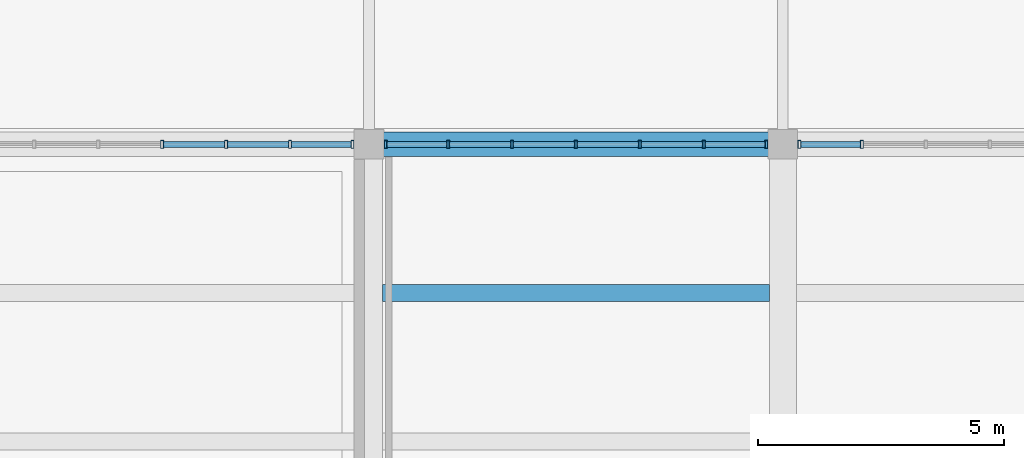
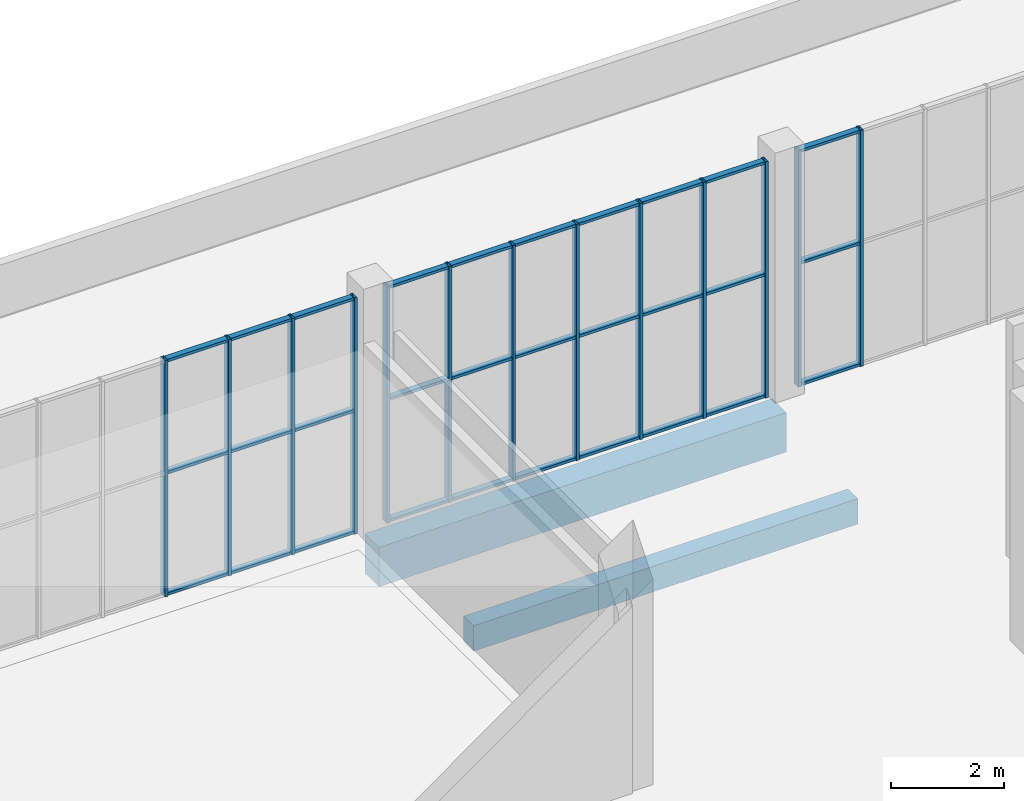
# One storey, part 90 of 132: 43 members, 2 beams, 3 elements without a shape of their own.
"""IFC4 building model written with IfcOpenShell, lengths in metres."""

from ifc_helpers import new_model, si_unit, direction, frame, origin, origin_2d, place, context, subcontext, project, spatial, rectangle, hollow_rectangle, extrude, material, material_profile, profile_set, type_object, element, aggregate, save


model = new_model("IFC4")

# Units and contexts
model_context = context("Model", 3, precision=1e-05, world=origin(), true_north=direction((0.0, 1.0)))
body_context = subcontext(model_context, "Body", "Model", "MODEL_VIEW")
ifc_project = project(units=[si_unit("LENGTHUNIT", "METRE"), si_unit("AREAUNIT", "SQUARE_METRE"), si_unit("VOLUMEUNIT", "CUBIC_METRE"), si_unit("PLANEANGLEUNIT", "RADIAN"), si_unit("MASSUNIT", "GRAM", prefix="KILO")], contexts=[model_context])

# Site, building, storey
site_placement = place(None, origin())
site = spatial("IfcSite", under=ifc_project, at=site_placement, CompositionType="ELEMENT")
building_placement = place(site_placement, origin())
building = spatial("IfcBuilding", under=site, at=building_placement, Name="Khurvash Pelagic Aquarium", CompositionType="ELEMENT")
storey_placement = place(building_placement, frame((0.0, 0.0, 5.39990234375)))
storey = spatial("IfcBuildingStorey", under=building, at=storey_placement, Name="L01", CompositionType="ELEMENT", Elevation=5.39990234375)

# Curtain wall, members
ifc_material_1 = material(Name="Anodised aluminium and low-E laminated glass", Category="aluminium")
curtain_wall_type = type_object("IfcCurtainWallType", Name="CW-05", PredefinedType="USERDEFINED", material=ifc_material_1)
curtain_wall_1_placement = place(storey_placement, origin())
curtain_wall_1 = element("IfcCurtainWall", 1, at=curtain_wall_1_placement, inside=storey, type_object=curtain_wall_type, Name="L01 Facade Unitised Curtain Wall CW-05 0114", ObjectType="UNITISED CURTAIN WALL", PredefinedType="USERDEFINED")
ifc_material_2 = material(Name="Extruded aluminium AW-6063-T6", Category="aluminium")
ifc_material_profile_1 = material_profile(ifc_material_2, hollow_rectangle(XDim=0.06005859375, YDim=0.159912109375, WallThickness=0.00390625, at=origin_2d()), Name="CWM60X160X4")
ifc_profile_set_1 = profile_set([ifc_material_profile_1], Name="Extruded aluminium AW-6063-T6")
member_type_1 = type_object("IfcMemberType", Name="CM-02", PredefinedType="MULLION", material=ifc_profile_set_1)
member_1_placement = place(storey_placement, frame((110.80322265625, 102.14990234375, 0.0), z_axis=(0.0, 0.0, 1.0), x_axis=(-1.0, 0.0, 0.0)))
member_1 = element("IfcMember", 2, at=member_1_placement, type_object=member_type_1, Name="CW-05 mullion 6", PredefinedType="MULLION", context=body_context, shape_type="SweptSolid", body=[
    extrude(hollow_rectangle(XDim=0.06005859375, YDim=0.159912109375, WallThickness=0.00390625, at=origin_2d()), origin(), (0.0, 0.0, 1.0), 5.10009765625),
])
member_2_placement = place(storey_placement, frame((109.534912109375, 102.14990234375, 0.0), z_axis=(0.0, 0.0, 1.0), x_axis=(-1.0, 0.0, 0.0)))
member_2 = element("IfcMember", 3, at=member_2_placement, type_object=member_type_1, Name="CW-05 mullion 7", PredefinedType="MULLION", context=body_context, shape_type="SweptSolid", body=[
    extrude(hollow_rectangle(XDim=0.06005859375, YDim=0.159912109375, WallThickness=0.00390625, at=origin_2d()), origin(), (0.0, 0.0, 1.0), 5.10009765625),
])

curtain_wall_2_placement = place(storey_placement, origin())
curtain_wall_2 = element("IfcCurtainWall", 4, at=curtain_wall_2_placement, inside=storey, type_object=curtain_wall_type, Name="L01 Facade Unitised Curtain Wall CW-05 0115", ObjectType="UNITISED CURTAIN WALL", PredefinedType="USERDEFINED")
member_3_placement = place(storey_placement, frame((108.864990234375, 102.14990234375, 0.0), z_axis=(0.0, 0.0, 1.0), x_axis=(-1.0, 0.0, 0.0)))
member_3 = element("IfcMember", 5, at=member_3_placement, type_object=member_type_1, Name="CW-05 mullion 1", PredefinedType="MULLION", context=body_context, shape_type="SweptSolid", body=[
    extrude(hollow_rectangle(XDim=0.06005859375, YDim=0.159912109375, WallThickness=0.00390625, at=origin_2d()), origin(), (0.0, 0.0, 1.0), 5.10009765625),
])
member_4_placement = place(storey_placement, frame((107.5966796875, 102.14990234375, 0.0), z_axis=(0.0, 0.0, 1.0), x_axis=(-1.0, 0.0, 0.0)))
member_4 = element("IfcMember", 6, at=member_4_placement, type_object=member_type_1, Name="CW-05 mullion 2", PredefinedType="MULLION", context=body_context, shape_type="SweptSolid", body=[
    extrude(hollow_rectangle(XDim=0.06005859375, YDim=0.159912109375, WallThickness=0.00390625, at=origin_2d()), origin(), (0.0, 0.0, 1.0), 5.10009765625),
])
member_5_placement = place(storey_placement, frame((106.29833984375, 102.14990234375, 0.0), z_axis=(0.0, 0.0, 1.0), x_axis=(-1.0, 0.0, 0.0)))
member_5 = element("IfcMember", 7, at=member_5_placement, type_object=member_type_1, Name="CW-05 mullion 3", PredefinedType="MULLION", context=body_context, shape_type="SweptSolid", body=[
    extrude(hollow_rectangle(XDim=0.06005859375, YDim=0.159912109375, WallThickness=0.00390625, at=origin_2d()), origin(), (0.0, 0.0, 1.0), 5.10009765625),
])
member_6_placement = place(storey_placement, frame((105.0, 102.14990234375, 0.0), z_axis=(0.0, 0.0, 1.0), x_axis=(-1.0, 0.0, 0.0)))
member_6 = element("IfcMember", 8, at=member_6_placement, type_object=member_type_1, Name="CW-05 mullion 4", PredefinedType="MULLION", context=body_context, shape_type="SweptSolid", body=[
    extrude(hollow_rectangle(XDim=0.06005859375, YDim=0.159912109375, WallThickness=0.00390625, at=origin_2d()), origin(), (0.0, 0.0, 1.0), 5.10009765625),
])
member_7_placement = place(storey_placement, frame((103.70166015625, 102.14990234375, 0.0), z_axis=(0.0, 0.0, 1.0), x_axis=(-1.0, 0.0, 0.0)))
member_7 = element("IfcMember", 9, at=member_7_placement, type_object=member_type_1, Name="CW-05 mullion 5", PredefinedType="MULLION", context=body_context, shape_type="SweptSolid", body=[
    extrude(hollow_rectangle(XDim=0.06005859375, YDim=0.159912109375, WallThickness=0.00390625, at=origin_2d()), origin(), (0.0, 0.0, 1.0), 5.10009765625),
])
member_8_placement = place(storey_placement, frame((102.4033203125, 102.14990234375, 0.0), z_axis=(0.0, 0.0, 1.0), x_axis=(-1.0, 0.0, 0.0)))
member_8 = element("IfcMember", 10, at=member_8_placement, type_object=member_type_1, Name="CW-05 mullion 6", PredefinedType="MULLION", context=body_context, shape_type="SweptSolid", body=[
    extrude(hollow_rectangle(XDim=0.06005859375, YDim=0.159912109375, WallThickness=0.00390625, at=origin_2d()), origin(), (0.0, 0.0, 1.0), 5.10009765625),
])
member_9_placement = place(storey_placement, frame((101.135009765625, 102.14990234375, 0.0), z_axis=(0.0, 0.0, 1.0), x_axis=(-1.0, 0.0, 0.0)))
member_9 = element("IfcMember", 11, at=member_9_placement, type_object=member_type_1, Name="CW-05 mullion 7", PredefinedType="MULLION", context=body_context, shape_type="SweptSolid", body=[
    extrude(hollow_rectangle(XDim=0.06005859375, YDim=0.159912109375, WallThickness=0.00390625, at=origin_2d()), origin(), (0.0, 0.0, 1.0), 5.10009765625),
])

curtain_wall_3_placement = place(storey_placement, origin())
curtain_wall_3 = element("IfcCurtainWall", 12, at=curtain_wall_3_placement, inside=storey, type_object=curtain_wall_type, Name="L01 Facade Unitised Curtain Wall CW-05 0116", ObjectType="UNITISED CURTAIN WALL", PredefinedType="USERDEFINED")
member_10_placement = place(storey_placement, frame((100.465087890625, 102.14990234375, 0.0), z_axis=(0.0, 0.0, 1.0), x_axis=(-1.0, 0.0, 0.0)))
member_10 = element("IfcMember", 13, at=member_10_placement, type_object=member_type_1, Name="CW-05 mullion 1", PredefinedType="MULLION", context=body_context, shape_type="SweptSolid", body=[
    extrude(hollow_rectangle(XDim=0.06005859375, YDim=0.159912109375, WallThickness=0.00390625, at=origin_2d()), origin(), (0.0, 0.0, 1.0), 5.10009765625),
])
member_11_placement = place(storey_placement, frame((99.19677734375, 102.14990234375, 0.0), z_axis=(0.0, 0.0, 1.0), x_axis=(-1.0, 0.0, 0.0)))
member_11 = element("IfcMember", 14, at=member_11_placement, type_object=member_type_1, Name="CW-05 mullion 2", PredefinedType="MULLION", context=body_context, shape_type="SweptSolid", body=[
    extrude(hollow_rectangle(XDim=0.06005859375, YDim=0.159912109375, WallThickness=0.00390625, at=origin_2d()), origin(), (0.0, 0.0, 1.0), 5.10009765625),
])
member_12_placement = place(storey_placement, frame((97.8984375, 102.14990234375, 0.0), z_axis=(0.0, 0.0, 1.0), x_axis=(-1.0, 0.0, 0.0)))
member_12 = element("IfcMember", 15, at=member_12_placement, type_object=member_type_1, Name="CW-05 mullion 3", PredefinedType="MULLION", context=body_context, shape_type="SweptSolid", body=[
    extrude(hollow_rectangle(XDim=0.06005859375, YDim=0.159912109375, WallThickness=0.00390625, at=origin_2d()), origin(), (0.0, 0.0, 1.0), 5.10009765625),
])
member_13_placement = place(storey_placement, frame((96.60009765625, 102.14990234375, 0.0), z_axis=(0.0, 0.0, 1.0), x_axis=(-1.0, 0.0, 0.0)))
member_13 = element("IfcMember", 16, at=member_13_placement, type_object=member_type_1, Name="CW-05 mullion 4", PredefinedType="MULLION", context=body_context, shape_type="SweptSolid", body=[
    extrude(hollow_rectangle(XDim=0.06005859375, YDim=0.159912109375, WallThickness=0.00390625, at=origin_2d()), origin(), (0.0, 0.0, 1.0), 5.10009765625),
])

# Member
ifc_material_profile_2 = material_profile(ifc_material_2, hollow_rectangle(XDim=0.1201171875, YDim=0.06005859375, WallThickness=0.00390625, at=origin_2d()), Name="CWT120X60X4")
ifc_profile_set_2 = profile_set([ifc_material_profile_2], Name="Extruded aluminium AW-6063-T6")
member_type_2 = type_object("IfcMemberType", Name="CT-02", PredefinedType="USERDEFINED", material=ifc_profile_set_2)
member_14_placement = place(storey_placement, frame((110.7734375, 102.14990234375, 0.030029296875), z_axis=(-1.0, 0.0, 0.0), x_axis=(0.0, -1.0, 0.0)))
member_14 = element("IfcMember", 17, at=member_14_placement, type_object=member_type_2, Name="CW-05 transom 6.1", ObjectType="TRANSOM", PredefinedType="USERDEFINED", context=body_context, shape_type="SweptSolid", body=[
    extrude(hollow_rectangle(XDim=0.1201171875, YDim=0.06005859375, WallThickness=0.00390625, at=origin_2d()), origin(), (0.0, 0.0, 1.0), 1.20849609375),
])

member_15_placement = place(storey_placement, frame((110.7734375, 102.14990234375, 2.652099609375), z_axis=(-1.0, 0.0, 0.0), x_axis=(0.0, -1.0, 0.0)))
member_15 = element("IfcMember", 18, at=member_15_placement, type_object=member_type_2, Name="CW-05 transom 6.2", ObjectType="TRANSOM", PredefinedType="USERDEFINED", context=body_context, shape_type="SweptSolid", body=[
    extrude(hollow_rectangle(XDim=0.1201171875, YDim=0.06005859375, WallThickness=0.00390625, at=origin_2d()), origin(), (0.0, 0.0, 1.0), 1.20849609375),
])

member_16_placement = place(storey_placement, frame((110.7734375, 102.14990234375, 5.070068359375), z_axis=(-1.0, 0.0, 0.0), x_axis=(0.0, -1.0, 0.0)))
member_16 = element("IfcMember", 19, at=member_16_placement, type_object=member_type_2, Name="CW-05 transom 6.3", ObjectType="TRANSOM", PredefinedType="USERDEFINED", context=body_context, shape_type="SweptSolid", body=[
    extrude(hollow_rectangle(XDim=0.1201171875, YDim=0.06005859375, WallThickness=0.00390625, at=origin_2d()), origin(), (0.0, 0.0, 1.0), 1.20849609375),
])

aggregate(curtain_wall_1, [member_1, member_2, member_14, member_15, member_16])

member_17_placement = place(storey_placement, frame((108.8349609375, 102.14990234375, 0.030029296875), z_axis=(-1.0, 0.0, 0.0), x_axis=(0.0, -1.0, 0.0)))
member_17 = element("IfcMember", 20, at=member_17_placement, type_object=member_type_2, Name="CW-05 transom 1.1", ObjectType="TRANSOM", PredefinedType="USERDEFINED", context=body_context, shape_type="SweptSolid", body=[
    extrude(hollow_rectangle(XDim=0.1201171875, YDim=0.06005859375, WallThickness=0.00390625, at=origin_2d()), origin(), (0.0, 0.0, 1.0), 1.208251953125),
])

member_18_placement = place(storey_placement, frame((108.8349609375, 102.14990234375, 2.652099609375), z_axis=(-1.0, 0.0, 0.0), x_axis=(0.0, -1.0, 0.0)))
member_18 = element("IfcMember", 21, at=member_18_placement, type_object=member_type_2, Name="CW-05 transom 1.2", ObjectType="TRANSOM", PredefinedType="USERDEFINED", context=body_context, shape_type="SweptSolid", body=[
    extrude(hollow_rectangle(XDim=0.1201171875, YDim=0.06005859375, WallThickness=0.00390625, at=origin_2d()), origin(), (0.0, 0.0, 1.0), 1.208251953125),
])

member_19_placement = place(storey_placement, frame((108.8349609375, 102.14990234375, 5.070068359375), z_axis=(-1.0, 0.0, 0.0), x_axis=(0.0, -1.0, 0.0)))
member_19 = element("IfcMember", 22, at=member_19_placement, type_object=member_type_2, Name="CW-05 transom 1.3", ObjectType="TRANSOM", PredefinedType="USERDEFINED", context=body_context, shape_type="SweptSolid", body=[
    extrude(hollow_rectangle(XDim=0.1201171875, YDim=0.06005859375, WallThickness=0.00390625, at=origin_2d()), origin(), (0.0, 0.0, 1.0), 1.208251953125),
])

member_20_placement = place(storey_placement, frame((107.566650390625, 102.14990234375, 0.030029296875), z_axis=(-1.0, 0.0, 0.0), x_axis=(0.0, -1.0, 0.0)))
member_20 = element("IfcMember", 23, at=member_20_placement, type_object=member_type_2, Name="CW-05 transom 2.1", ObjectType="TRANSOM", PredefinedType="USERDEFINED", context=body_context, shape_type="SweptSolid", body=[
    extrude(hollow_rectangle(XDim=0.1201171875, YDim=0.06005859375, WallThickness=0.00390625, at=origin_2d()), origin(), (0.0, 0.0, 1.0), 1.23828125),
])

member_21_placement = place(storey_placement, frame((107.566650390625, 102.14990234375, 2.652099609375), z_axis=(-1.0, 0.0, 0.0), x_axis=(0.0, -1.0, 0.0)))
member_21 = element("IfcMember", 24, at=member_21_placement, type_object=member_type_2, Name="CW-05 transom 2.2", ObjectType="TRANSOM", PredefinedType="USERDEFINED", context=body_context, shape_type="SweptSolid", body=[
    extrude(hollow_rectangle(XDim=0.1201171875, YDim=0.06005859375, WallThickness=0.00390625, at=origin_2d()), origin(), (0.0, 0.0, 1.0), 1.23828125),
])

member_22_placement = place(storey_placement, frame((107.566650390625, 102.14990234375, 5.070068359375), z_axis=(-1.0, 0.0, 0.0), x_axis=(0.0, -1.0, 0.0)))
member_22 = element("IfcMember", 25, at=member_22_placement, type_object=member_type_2, Name="CW-05 transom 2.3", ObjectType="TRANSOM", PredefinedType="USERDEFINED", context=body_context, shape_type="SweptSolid", body=[
    extrude(hollow_rectangle(XDim=0.1201171875, YDim=0.06005859375, WallThickness=0.00390625, at=origin_2d()), origin(), (0.0, 0.0, 1.0), 1.23828125),
])

member_23_placement = place(storey_placement, frame((106.268310546875, 102.14990234375, 0.030029296875), z_axis=(-1.0, 0.0, 0.0), x_axis=(0.0, -1.0, 0.0)))
member_23 = element("IfcMember", 26, at=member_23_placement, type_object=member_type_2, Name="CW-05 transom 3.1", ObjectType="TRANSOM", PredefinedType="USERDEFINED", context=body_context, shape_type="SweptSolid", body=[
    extrude(hollow_rectangle(XDim=0.1201171875, YDim=0.06005859375, WallThickness=0.00390625, at=origin_2d()), origin(), (0.0, 0.0, 1.0), 1.23828125),
])

member_24_placement = place(storey_placement, frame((106.268310546875, 102.14990234375, 2.652099609375), z_axis=(-1.0, 0.0, 0.0), x_axis=(0.0, -1.0, 0.0)))
member_24 = element("IfcMember", 27, at=member_24_placement, type_object=member_type_2, Name="CW-05 transom 3.2", ObjectType="TRANSOM", PredefinedType="USERDEFINED", context=body_context, shape_type="SweptSolid", body=[
    extrude(hollow_rectangle(XDim=0.1201171875, YDim=0.06005859375, WallThickness=0.00390625, at=origin_2d()), origin(), (0.0, 0.0, 1.0), 1.23828125),
])

member_25_placement = place(storey_placement, frame((106.268310546875, 102.14990234375, 5.070068359375), z_axis=(-1.0, 0.0, 0.0), x_axis=(0.0, -1.0, 0.0)))
member_25 = element("IfcMember", 28, at=member_25_placement, type_object=member_type_2, Name="CW-05 transom 3.3", ObjectType="TRANSOM", PredefinedType="USERDEFINED", context=body_context, shape_type="SweptSolid", body=[
    extrude(hollow_rectangle(XDim=0.1201171875, YDim=0.06005859375, WallThickness=0.00390625, at=origin_2d()), origin(), (0.0, 0.0, 1.0), 1.23828125),
])

member_26_placement = place(storey_placement, frame((104.969970703125, 102.14990234375, 0.030029296875), z_axis=(-1.0, 0.0, 0.0), x_axis=(0.0, -1.0, 0.0)))
member_26 = element("IfcMember", 29, at=member_26_placement, type_object=member_type_2, Name="CW-05 transom 4.1", ObjectType="TRANSOM", PredefinedType="USERDEFINED", context=body_context, shape_type="SweptSolid", body=[
    extrude(hollow_rectangle(XDim=0.1201171875, YDim=0.06005859375, WallThickness=0.00390625, at=origin_2d()), origin(), (0.0, 0.0, 1.0), 1.23828125),
])

member_27_placement = place(storey_placement, frame((104.969970703125, 102.14990234375, 2.652099609375), z_axis=(-1.0, 0.0, 0.0), x_axis=(0.0, -1.0, 0.0)))
member_27 = element("IfcMember", 30, at=member_27_placement, type_object=member_type_2, Name="CW-05 transom 4.2", ObjectType="TRANSOM", PredefinedType="USERDEFINED", context=body_context, shape_type="SweptSolid", body=[
    extrude(hollow_rectangle(XDim=0.1201171875, YDim=0.06005859375, WallThickness=0.00390625, at=origin_2d()), origin(), (0.0, 0.0, 1.0), 1.23828125),
])

member_28_placement = place(storey_placement, frame((104.969970703125, 102.14990234375, 5.070068359375), z_axis=(-1.0, 0.0, 0.0), x_axis=(0.0, -1.0, 0.0)))
member_28 = element("IfcMember", 31, at=member_28_placement, type_object=member_type_2, Name="CW-05 transom 4.3", ObjectType="TRANSOM", PredefinedType="USERDEFINED", context=body_context, shape_type="SweptSolid", body=[
    extrude(hollow_rectangle(XDim=0.1201171875, YDim=0.06005859375, WallThickness=0.00390625, at=origin_2d()), origin(), (0.0, 0.0, 1.0), 1.23828125),
])

member_29_placement = place(storey_placement, frame((103.671630859375, 102.14990234375, 0.030029296875), z_axis=(-1.0, 0.0, 0.0), x_axis=(0.0, -1.0, 0.0)))
member_29 = element("IfcMember", 32, at=member_29_placement, type_object=member_type_2, Name="CW-05 transom 5.1", ObjectType="TRANSOM", PredefinedType="USERDEFINED", context=body_context, shape_type="SweptSolid", body=[
    extrude(hollow_rectangle(XDim=0.1201171875, YDim=0.06005859375, WallThickness=0.00390625, at=origin_2d()), origin(), (0.0, 0.0, 1.0), 1.23828125),
])

member_30_placement = place(storey_placement, frame((103.671630859375, 102.14990234375, 2.652099609375), z_axis=(-1.0, 0.0, 0.0), x_axis=(0.0, -1.0, 0.0)))
member_30 = element("IfcMember", 33, at=member_30_placement, type_object=member_type_2, Name="CW-05 transom 5.2", ObjectType="TRANSOM", PredefinedType="USERDEFINED", context=body_context, shape_type="SweptSolid", body=[
    extrude(hollow_rectangle(XDim=0.1201171875, YDim=0.06005859375, WallThickness=0.00390625, at=origin_2d()), origin(), (0.0, 0.0, 1.0), 1.23828125),
])

member_31_placement = place(storey_placement, frame((103.671630859375, 102.14990234375, 5.070068359375), z_axis=(-1.0, 0.0, 0.0), x_axis=(0.0, -1.0, 0.0)))
member_31 = element("IfcMember", 34, at=member_31_placement, type_object=member_type_2, Name="CW-05 transom 5.3", ObjectType="TRANSOM", PredefinedType="USERDEFINED", context=body_context, shape_type="SweptSolid", body=[
    extrude(hollow_rectangle(XDim=0.1201171875, YDim=0.06005859375, WallThickness=0.00390625, at=origin_2d()), origin(), (0.0, 0.0, 1.0), 1.23828125),
])

member_32_placement = place(storey_placement, frame((102.373291015625, 102.14990234375, 0.030029296875), z_axis=(-1.0, 0.0, 0.0), x_axis=(0.0, -1.0, 0.0)))
member_32 = element("IfcMember", 35, at=member_32_placement, type_object=member_type_2, Name="CW-05 transom 6.1", ObjectType="TRANSOM", PredefinedType="USERDEFINED", context=body_context, shape_type="SweptSolid", body=[
    extrude(hollow_rectangle(XDim=0.1201171875, YDim=0.06005859375, WallThickness=0.00390625, at=origin_2d()), origin(), (0.0, 0.0, 1.0), 1.208251953125),
])

member_33_placement = place(storey_placement, frame((102.373291015625, 102.14990234375, 2.652099609375), z_axis=(-1.0, 0.0, 0.0), x_axis=(0.0, -1.0, 0.0)))
member_33 = element("IfcMember", 36, at=member_33_placement, type_object=member_type_2, Name="CW-05 transom 6.2", ObjectType="TRANSOM", PredefinedType="USERDEFINED", context=body_context, shape_type="SweptSolid", body=[
    extrude(hollow_rectangle(XDim=0.1201171875, YDim=0.06005859375, WallThickness=0.00390625, at=origin_2d()), origin(), (0.0, 0.0, 1.0), 1.208251953125),
])

member_34_placement = place(storey_placement, frame((102.373291015625, 102.14990234375, 5.070068359375), z_axis=(-1.0, 0.0, 0.0), x_axis=(0.0, -1.0, 0.0)))
member_34 = element("IfcMember", 37, at=member_34_placement, type_object=member_type_2, Name="CW-05 transom 6.3", ObjectType="TRANSOM", PredefinedType="USERDEFINED", context=body_context, shape_type="SweptSolid", body=[
    extrude(hollow_rectangle(XDim=0.1201171875, YDim=0.06005859375, WallThickness=0.00390625, at=origin_2d()), origin(), (0.0, 0.0, 1.0), 1.208251953125),
])

aggregate(curtain_wall_2, [member_3, member_4, member_5, member_6, member_7, member_8, member_9, member_17, member_18, member_19, member_20, member_21, member_22, member_23, member_24, member_25, member_26, member_27, member_28, member_29, member_30, member_31, member_32, member_33, member_34])

member_35_placement = place(storey_placement, frame((100.43505859375, 102.14990234375, 0.030029296875), z_axis=(-1.0, 0.0, 0.0), x_axis=(0.0, -1.0, 0.0)))
member_35 = element("IfcMember", 38, at=member_35_placement, type_object=member_type_2, Name="CW-05 transom 1.1", ObjectType="TRANSOM", PredefinedType="USERDEFINED", context=body_context, shape_type="SweptSolid", body=[
    extrude(hollow_rectangle(XDim=0.1201171875, YDim=0.06005859375, WallThickness=0.00390625, at=origin_2d()), origin(), (0.0, 0.0, 1.0), 1.20849609375),
])

member_36_placement = place(storey_placement, frame((100.43505859375, 102.14990234375, 2.652099609375), z_axis=(-1.0, 0.0, 0.0), x_axis=(0.0, -1.0, 0.0)))
member_36 = element("IfcMember", 39, at=member_36_placement, type_object=member_type_2, Name="CW-05 transom 1.2", ObjectType="TRANSOM", PredefinedType="USERDEFINED", context=body_context, shape_type="SweptSolid", body=[
    extrude(hollow_rectangle(XDim=0.1201171875, YDim=0.06005859375, WallThickness=0.00390625, at=origin_2d()), origin(), (0.0, 0.0, 1.0), 1.20849609375),
])

member_37_placement = place(storey_placement, frame((100.43505859375, 102.14990234375, 5.070068359375), z_axis=(-1.0, 0.0, 0.0), x_axis=(0.0, -1.0, 0.0)))
member_37 = element("IfcMember", 40, at=member_37_placement, type_object=member_type_2, Name="CW-05 transom 1.3", ObjectType="TRANSOM", PredefinedType="USERDEFINED", context=body_context, shape_type="SweptSolid", body=[
    extrude(hollow_rectangle(XDim=0.1201171875, YDim=0.06005859375, WallThickness=0.00390625, at=origin_2d()), origin(), (0.0, 0.0, 1.0), 1.20849609375),
])

member_38_placement = place(storey_placement, frame((99.166748046875, 102.14990234375, 0.030029296875), z_axis=(-1.0, 0.0, 0.0), x_axis=(0.0, -1.0, 0.0)))
member_38 = element("IfcMember", 41, at=member_38_placement, type_object=member_type_2, Name="CW-05 transom 2.1", ObjectType="TRANSOM", PredefinedType="USERDEFINED", context=body_context, shape_type="SweptSolid", body=[
    extrude(hollow_rectangle(XDim=0.1201171875, YDim=0.06005859375, WallThickness=0.00390625, at=origin_2d()), origin(), (0.0, 0.0, 1.0), 1.238525390625),
])

member_39_placement = place(storey_placement, frame((99.166748046875, 102.14990234375, 2.652099609375), z_axis=(-1.0, 0.0, 0.0), x_axis=(0.0, -1.0, 0.0)))
member_39 = element("IfcMember", 42, at=member_39_placement, type_object=member_type_2, Name="CW-05 transom 2.2", ObjectType="TRANSOM", PredefinedType="USERDEFINED", context=body_context, shape_type="SweptSolid", body=[
    extrude(hollow_rectangle(XDim=0.1201171875, YDim=0.06005859375, WallThickness=0.00390625, at=origin_2d()), origin(), (0.0, 0.0, 1.0), 1.238525390625),
])

member_40_placement = place(storey_placement, frame((99.166748046875, 102.14990234375, 5.070068359375), z_axis=(-1.0, 0.0, 0.0), x_axis=(0.0, -1.0, 0.0)))
member_40 = element("IfcMember", 43, at=member_40_placement, type_object=member_type_2, Name="CW-05 transom 2.3", ObjectType="TRANSOM", PredefinedType="USERDEFINED", context=body_context, shape_type="SweptSolid", body=[
    extrude(hollow_rectangle(XDim=0.1201171875, YDim=0.06005859375, WallThickness=0.00390625, at=origin_2d()), origin(), (0.0, 0.0, 1.0), 1.238525390625),
])

member_41_placement = place(storey_placement, frame((97.868408203125, 102.14990234375, 0.030029296875), z_axis=(-1.0, 0.0, 0.0), x_axis=(0.0, -1.0, 0.0)))
member_41 = element("IfcMember", 44, at=member_41_placement, type_object=member_type_2, Name="CW-05 transom 3.1", ObjectType="TRANSOM", PredefinedType="USERDEFINED", context=body_context, shape_type="SweptSolid", body=[
    extrude(hollow_rectangle(XDim=0.1201171875, YDim=0.06005859375, WallThickness=0.00390625, at=origin_2d()), origin(), (0.0, 0.0, 1.0), 1.238525390625),
])

member_42_placement = place(storey_placement, frame((97.868408203125, 102.14990234375, 2.652099609375), z_axis=(-1.0, 0.0, 0.0), x_axis=(0.0, -1.0, 0.0)))
member_42 = element("IfcMember", 45, at=member_42_placement, type_object=member_type_2, Name="CW-05 transom 3.2", ObjectType="TRANSOM", PredefinedType="USERDEFINED", context=body_context, shape_type="SweptSolid", body=[
    extrude(hollow_rectangle(XDim=0.1201171875, YDim=0.06005859375, WallThickness=0.00390625, at=origin_2d()), origin(), (0.0, 0.0, 1.0), 1.238525390625),
])

member_43_placement = place(storey_placement, frame((97.868408203125, 102.14990234375, 5.070068359375), z_axis=(-1.0, 0.0, 0.0), x_axis=(0.0, -1.0, 0.0)))
member_43 = element("IfcMember", 46, at=member_43_placement, type_object=member_type_2, Name="CW-05 transom 3.3", ObjectType="TRANSOM", PredefinedType="USERDEFINED", context=body_context, shape_type="SweptSolid", body=[
    extrude(hollow_rectangle(XDim=0.1201171875, YDim=0.06005859375, WallThickness=0.00390625, at=origin_2d()), origin(), (0.0, 0.0, 1.0), 1.238525390625),
])

aggregate(curtain_wall_3, [member_10, member_11, member_12, member_13, member_35, member_36, member_37, member_38, member_39, member_40, member_41, member_42, member_43])

# Beams
ifc_material_3 = material(Name="Concrete C35/45", Category="concrete")
ifc_material_profile_3 = material_profile(ifc_material_3, rectangle(XDim=0.35009765625, YDim=0.550048828125, at=origin_2d()), Name="RC350X550")
ifc_profile_set_3 = profile_set([ifc_material_profile_3], Name="Concrete C35/45")
beam_type_1 = type_object("IfcBeamType", Name="JS-01", PredefinedType="JOIST", material=ifc_profile_set_3)
beam_1_placement = place(storey_placement, frame((101.074951171875, 99.133056640625, -0.5849609375), z_axis=(1.0, 0.0, 0.0), x_axis=(0.0, 1.0, 0.0)))
element("IfcBeam", 47, at=beam_1_placement, inside=storey, type_object=beam_type_1, Name="L01 Floor Joist JS-01 00551", PredefinedType="JOIST", context=body_context, shape_type="SweptSolid", body=[
    extrude(rectangle(XDim=0.35009765625, YDim=0.550048828125, at=origin_2d()), origin(), (0.0, 0.0, 1.0), 7.85009765625),
])
ifc_material_4 = material(Name="Concrete C40/50", Category="concrete")
ifc_material_profile_4 = material_profile(ifc_material_4, rectangle(XDim=0.5, YDim=0.85009765625, at=origin_2d()), Name="RC500X850")
ifc_profile_set_4 = profile_set([ifc_material_profile_4], Name="Concrete C40/50")
beam_type_2 = type_object("IfcBeamType", Name="SEB-03", PredefinedType="SPANDREL", material=ifc_profile_set_4)
beam_2_placement = place(storey_placement, frame((100.840087890625, 102.14990234375, -0.744873046875), z_axis=(1.0, 0.0, 0.0), x_axis=(0.0, 1.0, 0.0)))
element("IfcBeam", 48, at=beam_2_placement, inside=storey, type_object=beam_type_2, Name="L01 Primary Girder SEB-03 00345", PredefinedType="SPANDREL", context=body_context, shape_type="SweptSolid", body=[
    extrude(rectangle(XDim=0.5, YDim=0.85009765625, at=origin_2d()), origin(), (0.0, 0.0, 1.0), 8.31982421875),
])

save(model, "model.ifc")
